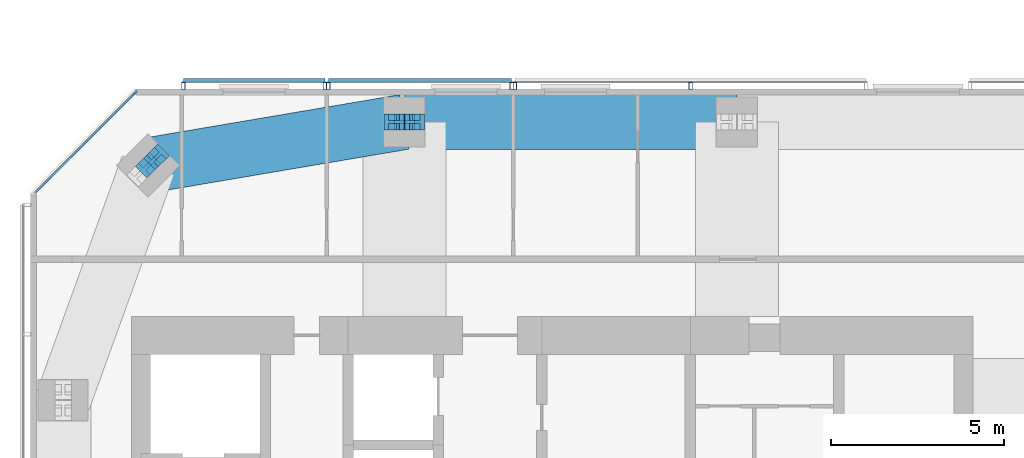
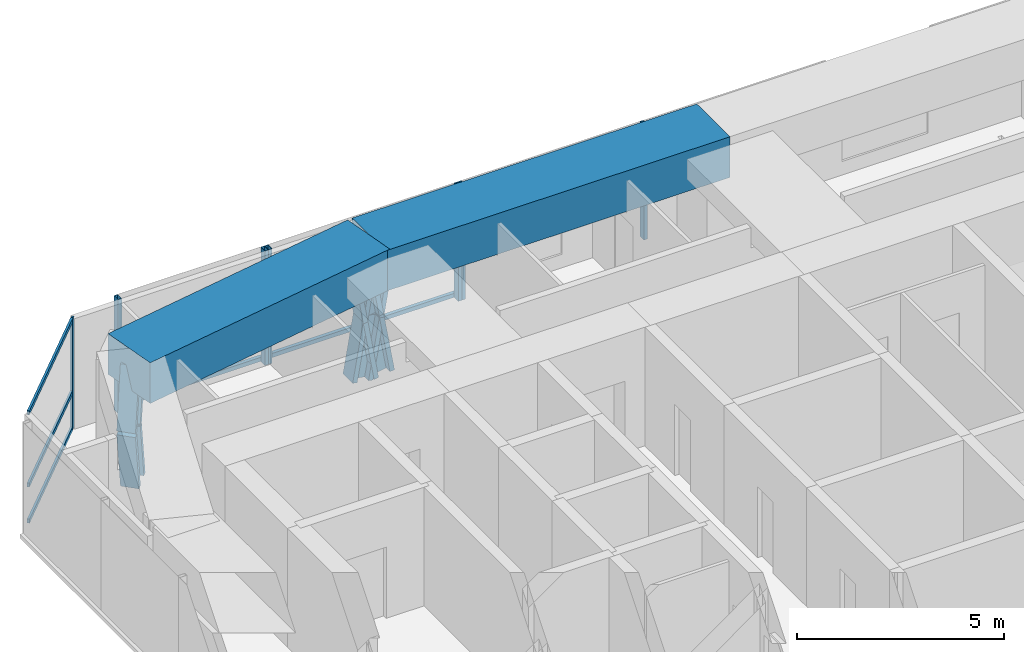
# One storey, part 10 of 20: 18 members, 2 beams, 4 elements without a shape of their own.
"""IFC4 building model written with IfcOpenShell, lengths in metres."""

import ifcopenshell
import ifcopenshell.guid

model = None  # the IFC model being written
_history = None  # IfcOwnerHistory: only IFC2X3 demands one
_inside = {}  # id of a spatial element -> (the spatial element, [elements in it])
_under = {}  # id of a project, library or spatial element -> (it, [spatial elements below it])
_declared = {}  # id of a project -> (the project, [libraries it declares])
_typed = {}  # id of a type object -> (the type object, [elements of that type])
_made_of = {}  # id of a material, layer set ... -> (it, [elements and type objects made of it])


def new_model(schema):
    """Start an empty IFC model of exactly this schema.

    Asked for "IFC4X3", IfcOpenShell would pick the latest addendum, in which some entities
    have other attributes; the version numbers below select the first issue.
    IFC2X3 requires an IfcOwnerHistory on every rooted entity: one is made here for all.
    """
    global model, _history
    if schema == "IFC4X3":
        model = ifcopenshell.file(schema_version=(4, 3, 0, 0))
    else:
        model = ifcopenshell.file(schema=schema)
    _inside.clear()
    _under.clear()
    _declared.clear()
    _typed.clear()
    _made_of.clear()
    _history = None
    if model.schema == "IFC2X3":
        org = make("IfcOrganization", Name="unknown")
        user = make(
            "IfcPersonAndOrganization",
            ThePerson=make("IfcPerson", FamilyName="unknown"),
            TheOrganization=org,
        )
        app = make(
            "IfcApplication",
            ApplicationDeveloper=org,
            Version="unknown",
            ApplicationFullName="unknown",
            ApplicationIdentifier="unknown",
        )
        _history = make(
            "IfcOwnerHistory",
            OwningUser=user,
            OwningApplication=app,
            ChangeAction="ADDED",
            CreationDate=0,
        )
    return model


def make(cls, **values):
    """One entity of the class cls with the attributes given. An attribute that is None is left unset."""
    return model.create_entity(
        cls, **{name: value for name, value in values.items() if value is not None}
    )


def rooted(cls, **values):
    """An entity with a GlobalId (a new one), such as an element, a storey or a relation."""
    return make(cls, GlobalId=ifcopenshell.guid.new(), OwnerHistory=_history, **values)


def si_unit(unit_type, name, prefix=None):
    """IfcSIUnit, for example si_unit("LENGTHUNIT", "METRE", prefix="MILLI")."""
    return make("IfcSIUnit", UnitType=unit_type, Prefix=prefix, Name=name)


def assignment(units):
    """IfcUnitAssignment: the units of a project."""
    return None if units is None else make("IfcUnitAssignment", Units=units)


def point(xyz):
    """IfcCartesianPoint."""
    return None if xyz is None else make("IfcCartesianPoint", Coordinates=xyz)


def direction(xyz):
    """IfcDirection."""
    return None if xyz is None else make("IfcDirection", DirectionRatios=xyz)


def frame(location, z_axis=None, x_axis=None):
    """IfcAxis2Placement3D, a coordinate frame: its origin and axes. An axis left out is left unset."""
    return make(
        "IfcAxis2Placement3D",
        Location=point(location),
        Axis=direction(z_axis),
        RefDirection=direction(x_axis),
    )


def frame_2d(location, x_axis=None):
    """IfcAxis2Placement2D, a coordinate frame in the plane: its origin and x axis."""
    return make(
        "IfcAxis2Placement2D", Location=point(location), RefDirection=direction(x_axis)
    )


def origin():
    """The frame at (0, 0, 0) with its axes left unset."""
    return frame((0.0, 0.0, 0.0))


def origin_2d():
    """The frame at (0, 0) in the plane with its x axis left unset."""
    return frame_2d((0.0, 0.0))


def place(relative_to, where):
    """IfcLocalPlacement: puts the frame where relative to a parent placement (None: the world)."""
    return make(
        "IfcLocalPlacement", PlacementRelTo=relative_to, RelativePlacement=where
    )


def context(
    kind, dimensions, precision=None, world=None, true_north=None, identifier=None
):
    """IfcGeometricRepresentationContext, for example the 3D "Model" context."""
    return make(
        "IfcGeometricRepresentationContext",
        ContextIdentifier=identifier,
        ContextType=kind,
        CoordinateSpaceDimension=dimensions,
        Precision=precision,
        WorldCoordinateSystem=world,
        TrueNorth=true_north,
    )


def subcontext(parent, identifier, kind, view, scale=None):
    """IfcGeometricRepresentationSubContext, for example "Body" below "Model"."""
    return make(
        "IfcGeometricRepresentationSubContext",
        ContextIdentifier=identifier,
        ContextType=kind,
        ParentContext=parent,
        TargetScale=scale,
        TargetView=view,
    )


def project(units=None, contexts=None):
    """IfcProject with its units and contexts."""
    return rooted(
        "IfcProject",
        Name="project",
        RepresentationContexts=contexts,
        UnitsInContext=assignment(units),
    )


def spatial(cls, under=None, at=None, **own):
    """A site, building, storey or space (cls), placed at a placement, below another one or the project."""
    s = rooted(cls, ObjectPlacement=at, **own)
    if under is not None:
        _under.setdefault(under.id(), (under, []))[1].append(s)
    return s


def profile(cls, at=None, kind="AREA", **sizes):
    """A parametric profile (cls). Its sizes go by their IFC names, for example OverallWidth=200.0."""
    return make(cls, ProfileType=kind, Position=at, **sizes)


def rectangle(**sizes):
    """IfcRectangleProfileDef."""
    return profile("IfcRectangleProfileDef", **sizes)


def hollow_rectangle(**sizes):
    """IfcRectangleHollowProfileDef."""
    return profile("IfcRectangleHollowProfileDef", **sizes)


def i_section(**sizes):
    """IfcIShapeProfileDef."""
    return profile("IfcIShapeProfileDef", **sizes)


def extrude(swept, where, along, depth):
    """IfcExtrudedAreaSolid: the profile swept, set in the frame where, extruded along a direction by depth."""
    return make(
        "IfcExtrudedAreaSolid",
        SweptArea=swept,
        Position=where,
        ExtrudedDirection=direction(along),
        Depth=depth,
    )


def shape(context_of_items, identifier, shape_type, items):
    """IfcShapeRepresentation: the items that make up one representation, for example the "Body"."""
    return make(
        "IfcShapeRepresentation",
        ContextOfItems=context_of_items,
        RepresentationIdentifier=identifier,
        RepresentationType=shape_type,
        Items=items,
    )


def material(Name=None, Category=None):
    """IfcMaterial."""
    return make("IfcMaterial", Name=Name, Category=Category)


def material_profile(
    of_material, cross_section, Name=None, Category=None, Priority=None
):
    """IfcMaterialProfile: a cross section and its material."""
    return make(
        "IfcMaterialProfile",
        Name=Name,
        Material=of_material,
        Profile=cross_section,
        Priority=Priority,
        Category=Category,
    )


def profile_set(profiles, Name=None, composite=None):
    """IfcMaterialProfileSet."""
    return make(
        "IfcMaterialProfileSet",
        Name=Name,
        MaterialProfiles=profiles,
        CompositeProfile=composite,
    )


def made_of(thing, what):
    """Note that an element or type object is made of a material, layer set ...; save() writes the relation."""
    if what is not None:
        _made_of.setdefault(what.id(), (what, []))[1].append(thing)
    return thing


def type_object(cls, material=None, **own):
    """A type object (cls), such as IfcWallType, which elements share."""
    return made_of(rooted(cls, **own), material)


def element(
    cls,
    number,
    at=None,
    inside=None,
    cuts=None,
    type_object=None,
    material=None,
    context=None,
    identifier="Body",
    shape_type=None,
    held_by="IfcProductDefinitionShape",
    body=None,
    shapes=None,
    **own,
):
    """One element of the class cls, such as IfcWall. Its Tag is "e" and its number.

    at: its placement. inside: the storey or other place that contains it. cuts: it is an
    opening in that element (IfcRelVoidsElement). A single representation is given by context,
    identifier, shape_type and body (its items); several are given by shapes. held_by: the class
    of the entity that holds the representations. save() writes the other relations.
    """
    e = rooted(cls, Tag="e%d" % number, ObjectPlacement=at, **own)
    if body is not None:
        shapes = [shape(context, identifier, shape_type, body)]
    if shapes is not None:
        e.Representation = make(held_by, Representations=shapes)
    if inside is not None:
        _inside.setdefault(inside.id(), (inside, []))[1].append(e)
    if cuts is not None:
        rooted(
            "IfcRelVoidsElement", RelatingBuildingElement=cuts, RelatedOpeningElement=e
        )
    if type_object is not None:
        _typed.setdefault(type_object.id(), (type_object, []))[1].append(e)
    return made_of(e, material)


def aggregate(whole, parts):
    """IfcRelAggregates: a whole, such as a stair, and the parts it consists of."""
    return rooted("IfcRelAggregates", RelatingObject=whole, RelatedObjects=parts)


def save(model, path):
    """Write the relations noted so far, then the file.

    IfcRelAggregates (storeys below a building ...), IfcRelContainedInSpatialStructure (elements
    in a storey), IfcRelDefinesByType, IfcRelAssociatesMaterial and IfcRelDeclares: one each for
    every whole, place, type object, material and project.
    """
    for whole, parts in _under.values():
        aggregate(whole, parts)
    for where, things in _inside.values():
        rooted(
            "IfcRelContainedInSpatialStructure",
            RelatedElements=things,
            RelatingStructure=where,
        )
    for kind, things in _typed.values():
        rooted("IfcRelDefinesByType", RelatedObjects=things, RelatingType=kind)
    for what, things in _made_of.values():
        rooted("IfcRelAssociatesMaterial", RelatedObjects=things, RelatingMaterial=what)
    for by, libraries in _declared.values():
        rooted("IfcRelDeclares", RelatingContext=by, RelatedDefinitions=libraries)
    model.write(path)


model = new_model("IFC4")

# Units and contexts
model_context = context("Model", 3, precision=1e-05, world=origin(), true_north=direction((0.0, 1.0)))
body_context = subcontext(model_context, "Body", "Model", "MODEL_VIEW")
ifc_project = project(units=[si_unit("LENGTHUNIT", "METRE"), si_unit("AREAUNIT", "SQUARE_METRE"), si_unit("VOLUMEUNIT", "CUBIC_METRE"), si_unit("PLANEANGLEUNIT", "RADIAN"), si_unit("MASSUNIT", "GRAM", prefix="KILO")], contexts=[model_context])

# Site, building, storey
site_placement = place(None, origin())
site = spatial("IfcSite", under=ifc_project, at=site_placement, CompositionType="ELEMENT")
building_placement = place(site_placement, origin())
building = spatial("IfcBuilding", under=site, at=building_placement, Name="Jalousie Tower", CompositionType="ELEMENT")
storey_placement = place(building_placement, frame((0.0, 0.0, 238.949951171875)))
storey = spatial("IfcBuildingStorey", under=building, at=storey_placement, Name="L65", CompositionType="ELEMENT", Elevation=238.949951171875)

# Curtain wall, members
ifc_material_1 = material(Name="Aluminium curtain wall", Category="aluminium")
curtain_wall_type_1 = type_object("IfcCurtainWallType", Name="CORNER WINDOW WALL", PredefinedType="USERDEFINED", material=ifc_material_1)
curtain_wall_1_placement = place(storey_placement, origin())
curtain_wall_1 = element("IfcCurtainWall", 1, at=curtain_wall_1_placement, inside=storey, type_object=curtain_wall_type_1, Name="Corner Window Wall L65 6", ObjectType="CORNER WINDOW WALL", PredefinedType="USERDEFINED")
ifc_material_2 = material(Name="Aluminium mullion", Category="aluminium")
ifc_material_profile_1 = material_profile(ifc_material_2, rectangle(XDim=0.06005859375, YDim=0.14990234375, at=origin_2d()), Name="MULLION 60x150")
ifc_profile_set_1 = profile_set([ifc_material_profile_1], Name="Aluminium mullion")
member_type_1 = type_object("IfcMemberType", Name="CORNER WINDOW WALL MULLION", PredefinedType="MULLION", material=ifc_profile_set_1)
member_1_placement = place(storey_placement, frame((19.830078125, 33.891357421875, 0.0), z_axis=(0.0, 0.0, 1.0), x_axis=(0.707106781187, -0.707106781187, 0.0)))
member_1 = element("IfcMember", 2, at=member_1_placement, type_object=member_type_1, Name="CW-C mullion 1", PredefinedType="MULLION", context=body_context, shape_type="SweptSolid", body=[
    extrude(rectangle(XDim=0.06005859375, YDim=0.14990234375, at=origin_2d()), origin(), (0.0, 0.0, 1.0), 3.260009765625),
])
ifc_material_3 = material(Name="Aluminium transom", Category="aluminium")
ifc_material_profile_2 = material_profile(ifc_material_3, rectangle(XDim=0.06005859375, YDim=0.1201171875, at=origin_2d()), Name="TRANSOM 60x120")
ifc_profile_set_2 = profile_set([ifc_material_profile_2], Name="Aluminium transom")
member_type_2 = type_object("IfcMemberType", Name="CORNER WINDOW WALL TRANSOM", PredefinedType="USERDEFINED", material=ifc_profile_set_2)
member_2_placement = place(storey_placement, frame((19.808837890625, 33.8701171875, 0.030029296875), z_axis=(-0.707106781187, -0.707106781187, 0.0), x_axis=(0.707106781187, -0.707106781187, 0.0)))
member_2 = element("IfcMember", 3, at=member_2_placement, type_object=member_type_2, Name="CW-C transom 1.1", ObjectType="TRANSOM", PredefinedType="USERDEFINED", context=body_context, shape_type="SweptSolid", body=[
    extrude(rectangle(XDim=0.06005859375, YDim=0.1201171875, at=origin_2d()), origin(), (0.0, 0.0, 1.0), 4.0712890625),
])
member_3_placement = place(storey_placement, frame((19.808837890625, 33.8701171875, 1.10009765625), z_axis=(-0.707106781187, -0.707106781187, 0.0), x_axis=(0.707106781187, -0.707106781187, 0.0)))
member_3 = element("IfcMember", 4, at=member_3_placement, type_object=member_type_2, Name="CW-C transom 1.2", ObjectType="TRANSOM", PredefinedType="USERDEFINED", context=body_context, shape_type="SweptSolid", body=[
    extrude(rectangle(XDim=0.06005859375, YDim=0.1201171875, at=origin_2d()), origin(), (0.0, 0.0, 1.0), 4.0712890625),
])
member_4_placement = place(storey_placement, frame((19.808837890625, 33.8701171875, 3.22998046875), z_axis=(-0.707106781187, -0.707106781187, 0.0), x_axis=(0.707106781187, -0.707106781187, 0.0)))
member_4 = element("IfcMember", 5, at=member_4_placement, type_object=member_type_2, Name="CW-C transom 1.3", ObjectType="TRANSOM", PredefinedType="USERDEFINED", context=body_context, shape_type="SweptSolid", body=[
    extrude(rectangle(XDim=0.06005859375, YDim=0.1201171875, at=origin_2d()), origin(), (0.0, 0.0, 1.0), 4.0712890625),
])
aggregate(curtain_wall_1, [member_1, member_2, member_3, member_4])

# Members
ifc_material_4 = material(Name="Steel ASTM A992 Grade 50", Category="steel")
ifc_material_profile_3 = material_profile(ifc_material_4, i_section(OverallWidth=0.472412109375, OverallDepth=0.5791015625, WebThickness=0.094970703125, FlangeThickness=0.1298828125, at=origin_2d()), Name="W14X808")
ifc_profile_set_3 = profile_set([ifc_material_profile_3], Name="Steel ASTM A992 Grade 50")
member_type_3 = type_object("IfcMemberType", Name="PERIMETER BRACE W14X808", PredefinedType="BRACE", material=ifc_profile_set_3)
for number, where, z_axis, x_axis, name in (
    (6, (27.324951171875, 33.050048828125, -0.599853515625), (0.168990530437, 0.0, 0.98561767467), (0.0, 1.0, 0.0), "Perimeter brace 11 L65 part 1"),
    (7, (27.625, 33.050048828125, 1.150146484375), (0.168990530437, 0.0, 0.98561767467), (0.0, 1.0, 0.0), "Perimeter brace 11 L65 part 2"),
    (8, (27.925048828125, 33.050048828125, -0.599853515625), (-0.168990530437, 0.0, 0.98561767467), (0.0, -1.0, 0.0), "Perimeter brace 11 L65 part 3"),
    (9, (27.625, 33.050048828125, 1.150146484375), (-0.168990530437, 0.0, 0.98561767467), (0.0, -1.0, 0.0), "Perimeter brace 11 L65 part 4"),
):
    element("IfcMember", number, at=place(storey_placement, frame(where, z_axis=z_axis, x_axis=x_axis)), inside=storey, type_object=member_type_3, Name=name, PredefinedType="BRACE", context=body_context, shape_type="SweptSolid", body=[
        extrude(i_section(OverallWidth=0.472412109375, OverallDepth=0.5791015625, WebThickness=0.094970703125, FlangeThickness=0.1298828125, at=origin_2d()), origin(), (0.0, 0.0, 1.0), 1.775634765625),
    ])
for number, where, z_axis, x_axis, name in (
    (10, (20.45458984375, 32.040283203125, -0.599853515625), (-0.138716051522, -0.138579250682, 0.980588419435), (0.706757851183, -0.707455539091, 0.0), "Perimeter brace 12 L65 part 1"),
    (11, (20.20703125, 31.79296875, 1.150146484375), (0.138716051522, 0.138579250682, 0.980588419435), (-0.706757851183, 0.707455539091, 0.0), "Perimeter brace 12 L65 part 4"),
):
    element("IfcMember", number, at=place(storey_placement, frame(where, z_axis=z_axis, x_axis=x_axis)), inside=storey, type_object=member_type_3, Name=name, PredefinedType="BRACE", context=body_context, shape_type="SweptSolid", body=[
        extrude(i_section(OverallWidth=0.472412109375, OverallDepth=0.5791015625, WebThickness=0.094970703125, FlangeThickness=0.1298828125, at=origin_2d()), origin(), (0.0, 0.0, 1.0), 1.78466796875),
    ])

# Beams
ifc_material_5 = material(Name="Concrete f'c 40 MPa", Category="concrete")
ifc_material_profile_4 = material_profile(ifc_material_5, rectangle(XDim=1.60009765625, YDim=1.199951171875, at=origin_2d()), Name="RC 1600x1200")
ifc_profile_set_4 = profile_set([ifc_material_profile_4], Name="Concrete f'c 40 MPa")
beam_type = type_object("IfcBeamType", Name="RC BEAM 1600x1200", PredefinedType="BEAM", material=ifc_profile_set_4)
beam_1_placement = place(storey_placement, frame((37.25, 33.050048828125, 2.900146484375), z_axis=(-1.0, 0.0, 0.0), x_axis=(0.0, -1.0, 0.0)))
element("IfcBeam", 12, at=beam_1_placement, inside=storey, type_object=beam_type, Name="Edge band beam 10-11 under L66", PredefinedType="BEAM", context=body_context, shape_type="SweptSolid", body=[
    extrude(rectangle(XDim=1.60009765625, YDim=1.199951171875, at=origin_2d()), origin(), (0.0, 0.0, 1.0), 9.625),
])
beam_2_placement = place(storey_placement, frame((27.625, 33.050048828125, 2.900146484375), z_axis=(-0.985942997446, -0.167082033105, 0.0), x_axis=(0.167082033105, -0.985942997446, 0.0)))
element("IfcBeam", 13, at=beam_2_placement, inside=storey, type_object=beam_type, Name="Edge band beam 11-12 under L66", PredefinedType="BEAM", context=body_context, shape_type="SweptSolid", body=[
    extrude(rectangle(XDim=1.60009765625, YDim=1.199951171875, at=origin_2d()), origin(), (0.0, 0.0, 1.0), 7.523681640625),
])

# Curtain wall, members
ifc_material_6 = material(Name="Perforated aluminium sheet", Category="aluminium")
curtain_wall_type_2 = type_object("IfcCurtainWallType", Name="SOLAR SCREEN SS-2", PredefinedType="USERDEFINED", material=ifc_material_6)
curtain_wall_2_placement = place(storey_placement, origin())
curtain_wall_2 = element("IfcCurtainWall", 14, at=curtain_wall_2_placement, inside=storey, type_object=curtain_wall_type_2, Name="Solar screen L65", ObjectType="SOLAR SCREEN SS-2", PredefinedType="USERDEFINED")
ifc_material_7 = material(Name="Steel ASTM A500 Grade C", Category="steel")
ifc_material_profile_5 = material_profile(ifc_material_7, hollow_rectangle(XDim=0.1015625, YDim=0.203125, WallThickness=0.0078125, at=origin_2d()), Name="HSS8X4X5/16")
ifc_profile_set_5 = profile_set([ifc_material_profile_5], Name="Steel ASTM A500 Grade C")
member_type_4 = type_object("IfcMemberType", Name="SOLAR SCREEN SS-2 MULLION", PredefinedType="MULLION", material=ifc_profile_set_5)
member_5_placement = place(storey_placement, frame((35.90673828125, 34.0966796875, -0.119873046875), z_axis=(0.0, 0.0, 1.0), x_axis=(-1.0, 0.0, 0.0)))
member_5 = element("IfcMember", 15, at=member_5_placement, type_object=member_type_4, Name="SS2 post 2", PredefinedType="MULLION", context=body_context, shape_type="SweptSolid", body=[
    extrude(hollow_rectangle(XDim=0.1015625, YDim=0.203125, WallThickness=0.0078125, at=origin_2d()), origin(), (0.0, 0.0, 1.0), 3.3798828125),
])
member_6_placement = place(storey_placement, frame((30.824951171875, 34.0966796875, -0.119873046875), z_axis=(0.0, 0.0, 1.0), x_axis=(-1.0, 0.0, 0.0)))
member_6 = element("IfcMember", 16, at=member_6_placement, type_object=member_type_4, Name="SS2 post 3", PredefinedType="MULLION", context=body_context, shape_type="SweptSolid", body=[
    extrude(hollow_rectangle(XDim=0.1015625, YDim=0.203125, WallThickness=0.0078125, at=origin_2d()), origin(), (0.0, 0.0, 1.0), 3.3798828125),
])
aggregate(curtain_wall_2, [member_5, member_6])

curtain_wall_3_placement = place(storey_placement, origin())
curtain_wall_3 = element("IfcCurtainWall", 17, at=curtain_wall_3_placement, inside=storey, type_object=curtain_wall_type_2, Name="Solar screen L65", ObjectType="SOLAR SCREEN SS-2", PredefinedType="USERDEFINED")
member_7_placement = place(storey_placement, frame((30.72509765625, 34.0966796875, -0.119873046875), z_axis=(0.0, 0.0, 1.0), x_axis=(-1.0, 0.0, 0.0)))
member_7 = element("IfcMember", 18, at=member_7_placement, type_object=member_type_4, Name="SS2 post 1", PredefinedType="MULLION", context=body_context, shape_type="SweptSolid", body=[
    extrude(hollow_rectangle(XDim=0.1015625, YDim=0.203125, WallThickness=0.0078125, at=origin_2d()), origin(), (0.0, 0.0, 1.0), 3.3798828125),
])
member_8_placement = place(storey_placement, frame((25.425048828125, 34.0966796875, -0.119873046875), z_axis=(0.0, 0.0, 1.0), x_axis=(-1.0, 0.0, 0.0)))
member_8 = element("IfcMember", 19, at=member_8_placement, type_object=member_type_4, Name="SS2 post 2", PredefinedType="MULLION", context=body_context, shape_type="SweptSolid", body=[
    extrude(hollow_rectangle(XDim=0.1015625, YDim=0.203125, WallThickness=0.0078125, at=origin_2d()), origin(), (0.0, 0.0, 1.0), 3.3798828125),
])

curtain_wall_4_placement = place(storey_placement, origin())
curtain_wall_4 = element("IfcCurtainWall", 20, at=curtain_wall_4_placement, inside=storey, type_object=curtain_wall_type_2, Name="Solar screen L65", ObjectType="SOLAR SCREEN SS-2", PredefinedType="USERDEFINED")
member_9_placement = place(storey_placement, frame((25.324951171875, 34.0966796875, -0.119873046875), z_axis=(0.0, 0.0, 1.0), x_axis=(-1.0, 0.0, 0.0)))
member_9 = element("IfcMember", 21, at=member_9_placement, type_object=member_type_4, Name="SS2 post 1", PredefinedType="MULLION", context=body_context, shape_type="SweptSolid", body=[
    extrude(hollow_rectangle(XDim=0.1015625, YDim=0.203125, WallThickness=0.0078125, at=origin_2d()), origin(), (0.0, 0.0, 1.0), 3.3798828125),
])
member_10_placement = place(storey_placement, frame((21.226318359375, 34.0966796875, -0.119873046875), z_axis=(0.0, 0.0, 1.0), x_axis=(-1.0, 0.0, 0.0)))
member_10 = element("IfcMember", 22, at=member_10_placement, type_object=member_type_4, Name="SS2 post 2", PredefinedType="MULLION", context=body_context, shape_type="SweptSolid", body=[
    extrude(hollow_rectangle(XDim=0.1015625, YDim=0.203125, WallThickness=0.0078125, at=origin_2d()), origin(), (0.0, 0.0, 1.0), 3.3798828125),
])

# Member
ifc_material_8 = material(Name="Extruded aluminium screen rail", Category="aluminium")
ifc_material_profile_6 = material_profile(ifc_material_8, rectangle(XDim=0.1015625, YDim=0.1201171875, at=origin_2d()), Name="RAIL 102x120")
ifc_profile_set_6 = profile_set([ifc_material_profile_6], Name="Extruded aluminium screen rail")
member_type_5 = type_object("IfcMemberType", Name="SOLAR SCREEN SS-2 TRANSOM", PredefinedType="USERDEFINED", material=ifc_profile_set_6)
member_11_placement = place(storey_placement, frame((30.72509765625, 34.2490234375, -0.06005859375), z_axis=(-1.0, 0.0, 0.0), x_axis=(0.0, -1.0, 0.0)))
member_11 = element("IfcMember", 23, at=member_11_placement, type_object=member_type_5, Name="SS2 rail", ObjectType="TRANSOM", PredefinedType="USERDEFINED", context=body_context, shape_type="SweptSolid", body=[
    extrude(rectangle(XDim=0.1015625, YDim=0.1201171875, at=origin_2d()), origin(), (0.0, 0.0, 1.0), 5.300048828125),
])

aggregate(curtain_wall_3, [member_7, member_8, member_11])

member_12_placement = place(storey_placement, frame((25.324951171875, 34.2490234375, -0.06005859375), z_axis=(-1.0, 0.0, 0.0), x_axis=(0.0, -1.0, 0.0)))
member_12 = element("IfcMember", 24, at=member_12_placement, type_object=member_type_5, Name="SS2 rail", ObjectType="TRANSOM", PredefinedType="USERDEFINED", context=body_context, shape_type="SweptSolid", body=[
    extrude(rectangle(XDim=0.1015625, YDim=0.1201171875, at=origin_2d()), origin(), (0.0, 0.0, 1.0), 4.0986328125),
])

aggregate(curtain_wall_4, [member_9, member_10, member_12])

save(model, "model.ifc")
